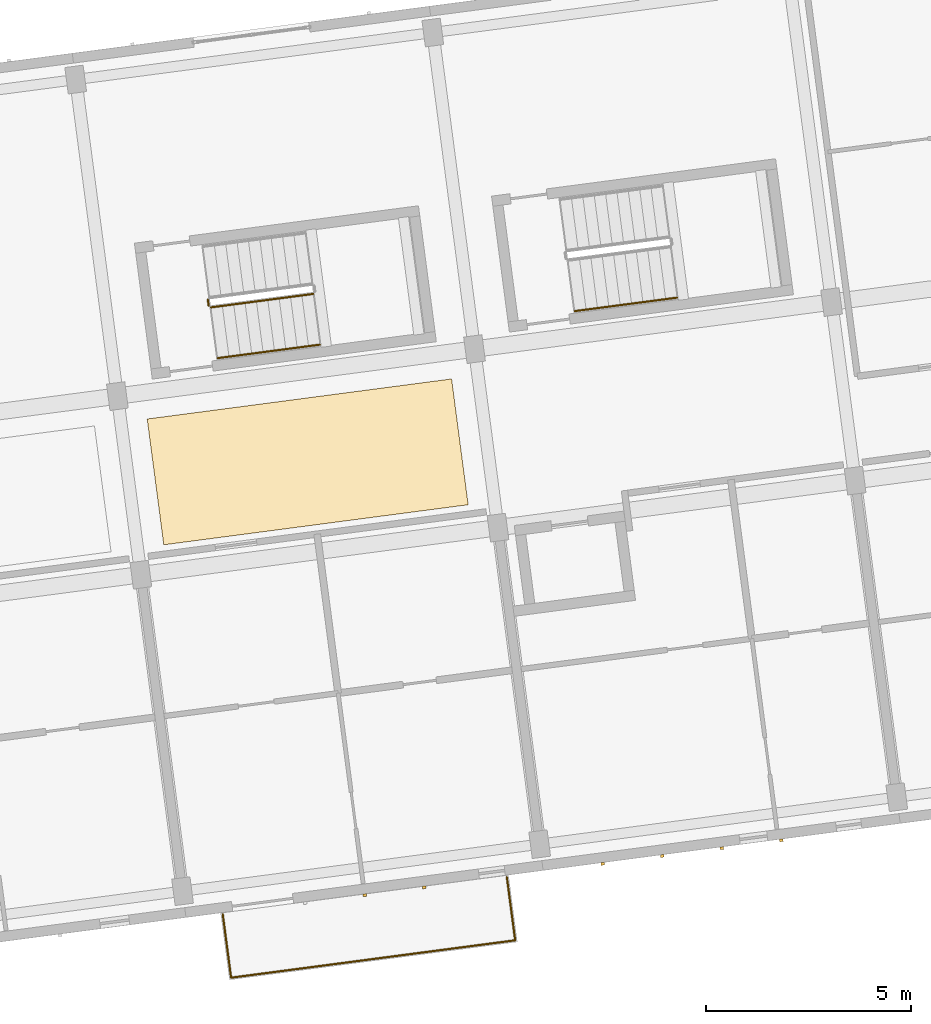
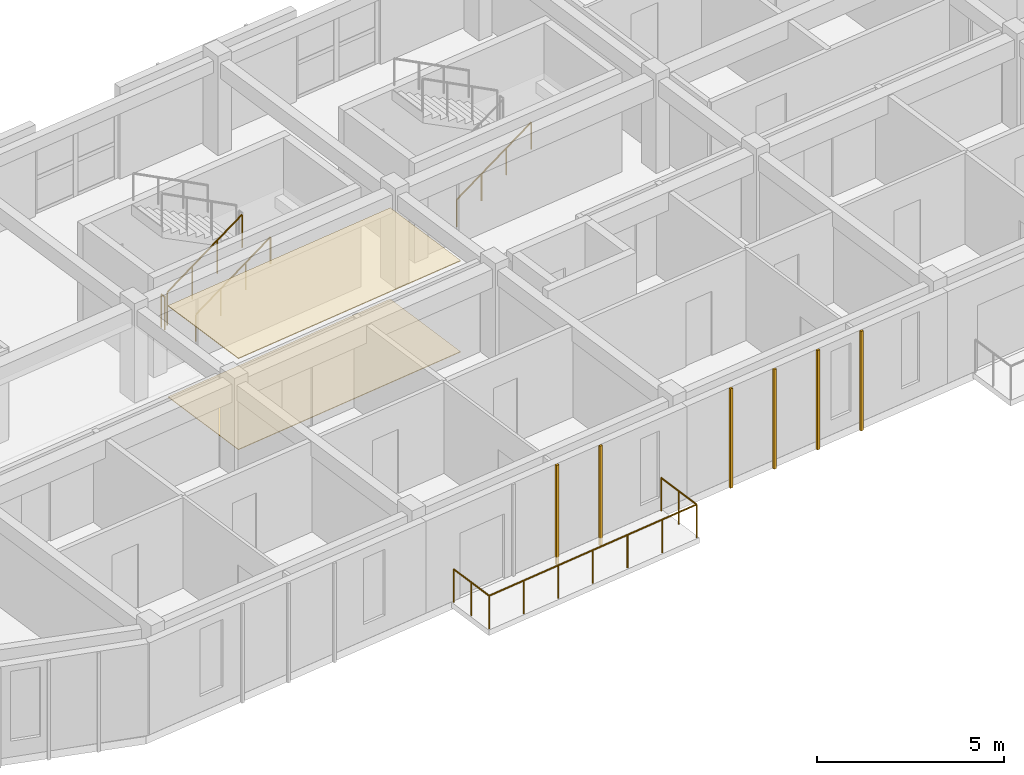
# One storey, part 22 of 31: 8 coverings, 5 railings.
"""IFC4 building model written with IfcOpenShell, lengths in metres."""

from ifc_helpers import new_model, si_unit, direction, frame, origin, origin_2d, place, context, subcontext, project, spatial, polyline, rectangle, circle, outline, extrude, material, layer, layer_set, type_object, element, save


model = new_model("IFC4")

# Units and contexts
model_context = context("Model", 3, precision=1e-05, world=origin(), true_north=direction((0.0, 1.0)))
body_context = subcontext(model_context, "Body", "Model", "MODEL_VIEW")
ifc_project = project(units=[si_unit("LENGTHUNIT", "METRE"), si_unit("AREAUNIT", "SQUARE_METRE"), si_unit("VOLUMEUNIT", "CUBIC_METRE"), si_unit("PLANEANGLEUNIT", "RADIAN"), si_unit("MASSUNIT", "GRAM", prefix="KILO")], contexts=[model_context])

# Site, building, storey
site_placement = place(None, origin())
site = spatial("IfcSite", under=ifc_project, at=site_placement, CompositionType="ELEMENT")
building_placement = place(site_placement, origin())
building = spatial("IfcBuilding", under=site, at=building_placement, Name="Kestramere Prow Commons", CompositionType="ELEMENT")
storey_placement = place(building_placement, frame((0.0, 0.0, 37.64990234375)))
storey = spatial("IfcBuildingStorey", under=building, at=storey_placement, Name="L11", CompositionType="ELEMENT", Elevation=37.64990234375)

# Coverings
ifc_material_1 = material(Name="Mineral Fibre Acoustic Ceiling Tile")
ifc_layer_1 = layer(ifc_material_1, 0.02490234375)
ifc_layer_set_1 = layer_set([ifc_layer_1], Name="Mineral Fibre Acoustic Ceiling Tile")
covering_type_1 = type_object("IfcCoveringType", Name="COV-CEIL-ACOUSTIC", PredefinedType="CEILING", material=ifc_layer_set_1)
covering_1_placement = place(storey_placement, frame((0.0, 0.0, 2.97509765625)))
element("IfcCovering", 1, at=covering_1_placement, inside=storey, type_object=covering_type_1, Name="Block A L11 Corridor Acoustic Ceiling 2", PredefinedType="CEILING", context=body_context, shape_type="SweptSolid", body=[
    extrude(outline(polyline([(19.46630859375, 81.611083984375), (26.902099609375, 82.590087890625), (26.497314453125, 85.66357421875), (19.0615234375, 84.6845703125), (19.46630859375, 81.611083984375)])), origin(), (0.0, 0.0, 1.0), 0.02490234375),
])
ifc_material_2 = material(Name="Weathered Zinc-Titanium Standing-Seam Cladding")
ifc_layer_2 = layer(ifc_material_2, 0.074951171875)
ifc_layer_set_2 = layer_set([ifc_layer_2], Name="Weathered Zinc-Titanium Standing-Seam Cladding")
covering_type_2 = type_object("IfcCoveringType", Name="COV-CLAD-SEAM", PredefinedType="CLADDING", material=ifc_layer_set_2)
for number, where, z_axis, x_axis, name in (
    (2, (25.82958984375, 73.24267578125, -0.25), (0.0, 0.0, 1.0), (-0.991444861374, -0.13052619222, 0.0), "EW-A-L11-S-1 Standing-Seam Rib 2"),
    (3, (24.37548828125, 73.05126953125, -0.25), (0.0, 0.0, 1.0), (-0.991444861374, -0.13052619222, 0.0), "EW-A-L11-S-1 Standing-Seam Rib 3"),
    (4, (34.554443359375, 74.391357421875, -0.25), (0.0, 0.0, 1.0), (-0.991444861374, -0.13052619222, 0.0), "EW-A-L11-S-2 Standing-Seam Rib 2"),
    (5, (33.100341796875, 74.199951171875, -0.25), (0.0, 0.0, 1.0), (-0.991444861374, -0.13052619222, 0.0), "EW-A-L11-S-2 Standing-Seam Rib 3"),
    (6, (31.64599609375, 74.008544921875, -0.25), (0.0, 0.0, 1.0), (-0.991444861374, -0.13052619222, 0.0), "EW-A-L11-S-2 Standing-Seam Rib 4"),
    (7, (30.19189453125, 73.81689453125, -0.25), (0.0, 0.0, 1.0), (-0.991444861374, -0.13052619222, 0.0), "EW-A-L11-S-2 Standing-Seam Rib 5"),
):
    element("IfcCovering", number, at=place(storey_placement, frame(where, z_axis=z_axis, x_axis=x_axis)), inside=storey, type_object=covering_type_2, Name=name, PredefinedType="CLADDING", context=body_context, shape_type="SweptSolid", body=[
        extrude(rectangle(XDim=0.0849609375, YDim=0.06494140625, at=origin_2d()), origin(), (0.0, 0.0, 1.0), 3.25),
    ])
ifc_material_3 = material(Name="Honed Cementitious Terrazzo Tile")
ifc_layer_3 = layer(ifc_material_3, 0.02001953125)
ifc_layer_set_3 = layer_set([ifc_layer_3], Name="Honed Cementitious Terrazzo Tile")
covering_type_3 = type_object("IfcCoveringType", Name="COV-FLOOR-TERRAZZO", PredefinedType="FLOORING", material=ifc_layer_set_3)
covering_2_placement = place(storey_placement, origin())
element("IfcCovering", 8, at=covering_2_placement, inside=storey, type_object=covering_type_3, Name="Block A L11 Corridor Terrazzo Flooring 2", PredefinedType="FLOORING", context=body_context, shape_type="SweptSolid", body=[
    extrude(outline(polyline([(19.46630859375, 81.611083984375), (26.902099609375, 82.590087890625), (26.497314453125, 85.66357421875), (19.0615234375, 84.6845703125), (19.46630859375, 81.611083984375)])), origin(), (0.0, 0.0, 1.0), 0.02001953125),
])

# Railings
ifc_material_4 = material(Name="Powder-Coated Aluminium 6063-T6", Category="aluminium")
railing_type_1 = type_object("IfcRailingType", Name="GRD-BALC-1100", PredefinedType="BALUSTRADE", material=ifc_material_4)
railing_1_placement = place(storey_placement, frame((20.906982421875, 72.58203125, 0.0)))
element("IfcRailing", 9, at=railing_1_placement, inside=storey, type_object=railing_type_1, Name="Block A L11 Balcony Guardrail 2", PredefinedType="BALUSTRADE", context=body_context, shape_type="SweptSolid", body=[
    extrude(circle(Radius=0.02392578125, at=origin_2d()), frame((0.0, 0.0, 1.076171875), z_axis=(0.130523335136, -0.991445237512, 0.0), x_axis=(0.991445237512, 0.130523335136, 0.0)), (0.0, 0.0, 1.0), 1.56005859375),
    extrude(circle(Radius=0.02392578125, at=origin_2d()), frame((0.20361328125, -1.546630859375, 1.076171875), z_axis=(0.991447052715, 0.13050954625, 0.0), x_axis=(-0.13050954625, 0.991447052715, 0.0)), (0.0, 0.0, 1.0), 7.0),
    extrude(circle(Radius=0.02392578125, at=origin_2d()), frame((7.143798828125, -0.633056640625, 1.076171875), z_axis=(-0.130523335136, 0.991445237512, 0.0), x_axis=(-0.991445237512, -0.130523335136, 0.0)), (0.0, 0.0, 1.0), 1.56005859375),
    extrude(circle(Radius=0.02099609375, at=origin_2d()), origin(), (0.0, 0.0, 1.0), 1.052001953125),
    extrude(circle(Radius=0.02099609375, at=origin_2d()), frame((0.101806640625, -0.7734375, 0.0)), (0.0, 0.0, 1.0), 1.052001953125),
    extrude(circle(Radius=0.02099609375, at=origin_2d()), frame((0.20361328125, -1.546630859375, 0.0)), (0.0, 0.0, 1.0), 1.052001953125),
    extrude(circle(Radius=0.02099609375, at=origin_2d()), frame((1.3603515625, -1.394287109375, 0.0)), (0.0, 0.0, 1.0), 1.052001953125),
    extrude(circle(Radius=0.02099609375, at=origin_2d()), frame((2.51708984375, -1.2421875, 0.0)), (0.0, 0.0, 1.0), 1.052001953125),
    extrude(circle(Radius=0.02099609375, at=origin_2d()), frame((3.673828125, -1.08984375, 0.0)), (0.0, 0.0, 1.0), 1.052001953125),
    extrude(circle(Radius=0.02099609375, at=origin_2d()), frame((4.830322265625, -0.9375, 0.0)), (0.0, 0.0, 1.0), 1.052001953125),
    extrude(circle(Radius=0.02099609375, at=origin_2d()), frame((5.987060546875, -0.785400390625, 0.0)), (0.0, 0.0, 1.0), 1.052001953125),
    extrude(circle(Radius=0.02099609375, at=origin_2d()), frame((7.143798828125, -0.633056640625, 0.0)), (0.0, 0.0, 1.0), 1.052001953125),
    extrude(circle(Radius=0.02099609375, at=origin_2d()), frame((7.0419921875, 0.14013671875, 0.0)), (0.0, 0.0, 1.0), 1.052001953125),
    extrude(circle(Radius=0.02099609375, at=origin_2d()), frame((6.940185546875, 0.91357421875, 0.0)), (0.0, 0.0, 1.0), 1.052001953125),
])
ifc_material_5 = material(Name="Galvanised Steel S275JR", Category="steel")
railing_type_2 = type_object("IfcRailingType", Name="RL-ST-GR-1100", PredefinedType="GUARDRAIL", material=ifc_material_5)
railing_2_placement = place(storey_placement, frame((20.618896484375, 87.411376953125, 0.16259765625)))
element("IfcRailing", 10, at=railing_2_placement, inside=storey, type_object=railing_type_2, Name="L11 ST-A1 stair guard 1", PredefinedType="GUARDRAIL", context=body_context, shape_type="SweptSolid", body=[
    extrude(circle(Radius=0.02392578125, at=origin_2d()), frame((0.0, 0.0, 1.076171875), z_axis=(0.85752303711, 0.112867259233, 0.501911568525), x_axis=(-0.130494608992, 0.991449018873, 0.0)), (0.0, 0.0, 1.0), 2.91357421875),
    extrude(circle(Radius=0.02099609375, at=origin_2d()), origin(), (0.0, 0.0, 1.0), 1.052001953125),
    extrude(circle(Radius=0.02099609375, at=origin_2d()), frame((0.832763671875, 0.109619140625, 0.487548828125)), (0.0, 0.0, 1.0), 1.052001953125),
    extrude(circle(Radius=0.02099609375, at=origin_2d()), frame((1.665771484375, 0.21923828125, 0.974853515625)), (0.0, 0.0, 1.0), 1.052001953125),
    extrude(circle(Radius=0.02099609375, at=origin_2d()), frame((2.49853515625, 0.328857421875, 1.46240234375)), (0.0, 0.0, 1.0), 1.052001953125),
])
railing_3_placement = place(storey_placement, frame((20.56298828125, 87.454345703125, 0.0)))
element("IfcRailing", 11, at=railing_3_placement, inside=storey, type_object=railing_type_2, Name="L11 ST-A1 stair guard 4", PredefinedType="GUARDRAIL", context=body_context, shape_type="SweptSolid", body=[
    extrude(circle(Radius=0.02392578125, at=origin_2d()), frame((0.0, 0.0, 1.076171875), z_axis=(-0.131843859112, 0.99127049629, 0.0), x_axis=(-0.99127049629, -0.131843859112, 0.0)), (0.0, 0.0, 1.0), 0.14990234375),
    extrude(circle(Radius=0.02099609375, at=origin_2d()), origin(), (0.0, 0.0, 1.0), 1.052001953125),
    extrude(circle(Radius=0.02099609375, at=origin_2d()), frame((-0.019775390625, 0.148681640625, 0.0)), (0.0, 0.0, 1.0), 1.052001953125),
])
ifc_material_6 = material(Name="Stainless Steel 304", Category="steel")
railing_type_3 = type_object("IfcRailingType", Name="RL-ST-HR-900", PredefinedType="HANDRAIL", material=ifc_material_6)
railing_4_placement = place(storey_placement, frame((20.7822265625, 86.171875, 0.3251953125)))
element("IfcRailing", 12, at=railing_4_placement, inside=storey, type_object=railing_type_3, Name="L11 ST-A1 stair handrail 1", PredefinedType="HANDRAIL", context=body_context, shape_type="SweptSolid", body=[
    extrude(circle(Radius=0.02392578125, at=origin_2d()), frame((0.0, 0.0, 0.8759765625), z_axis=(0.857492745196, 0.112958098361, 0.501942885148), x_axis=(-0.130602379397, 0.991434828164, 0.0)), (0.0, 0.0, 1.0), 2.91357421875),
    extrude(circle(Radius=0.02099609375, at=origin_2d()), origin(), (0.0, 0.0, 1.0), 0.851806640625),
    extrude(circle(Radius=0.02099609375, at=origin_2d()), frame((0.832763671875, 0.109619140625, 0.487548828125)), (0.0, 0.0, 1.0), 0.851806640625),
    extrude(circle(Radius=0.02099609375, at=origin_2d()), frame((1.66552734375, 0.219482421875, 0.974853515625)), (0.0, 0.0, 1.0), 0.851806640625),
    extrude(circle(Radius=0.02099609375, at=origin_2d()), frame((2.498291015625, 0.3291015625, 1.46240234375)), (0.0, 0.0, 1.0), 0.851806640625),
])
railing_5_placement = place(storey_placement, frame((29.5068359375, 87.320556640625, 0.3251953125)))
element("IfcRailing", 13, at=railing_5_placement, inside=storey, type_object=railing_type_3, Name="L11 ST-A2 stair handrail 1", PredefinedType="HANDRAIL", context=body_context, shape_type="SweptSolid", body=[
    extrude(circle(Radius=0.02392578125, at=origin_2d()), frame((0.0, 0.0, 0.8759765625), z_axis=(0.85752303711, 0.112867259233, 0.501911568525), x_axis=(-0.130494608992, 0.991449018873, 0.0)), (0.0, 0.0, 1.0), 2.91357421875),
    extrude(circle(Radius=0.02099609375, at=origin_2d()), origin(), (0.0, 0.0, 1.0), 0.851806640625),
    extrude(circle(Radius=0.02099609375, at=origin_2d()), frame((0.832763671875, 0.109619140625, 0.487548828125)), (0.0, 0.0, 1.0), 0.851806640625),
    extrude(circle(Radius=0.02099609375, at=origin_2d()), frame((1.665771484375, 0.21923828125, 0.974853515625)), (0.0, 0.0, 1.0), 0.851806640625),
    extrude(circle(Radius=0.02099609375, at=origin_2d()), frame((2.49853515625, 0.328857421875, 1.46240234375)), (0.0, 0.0, 1.0), 0.851806640625),
])

save(model, "model.ifc")
